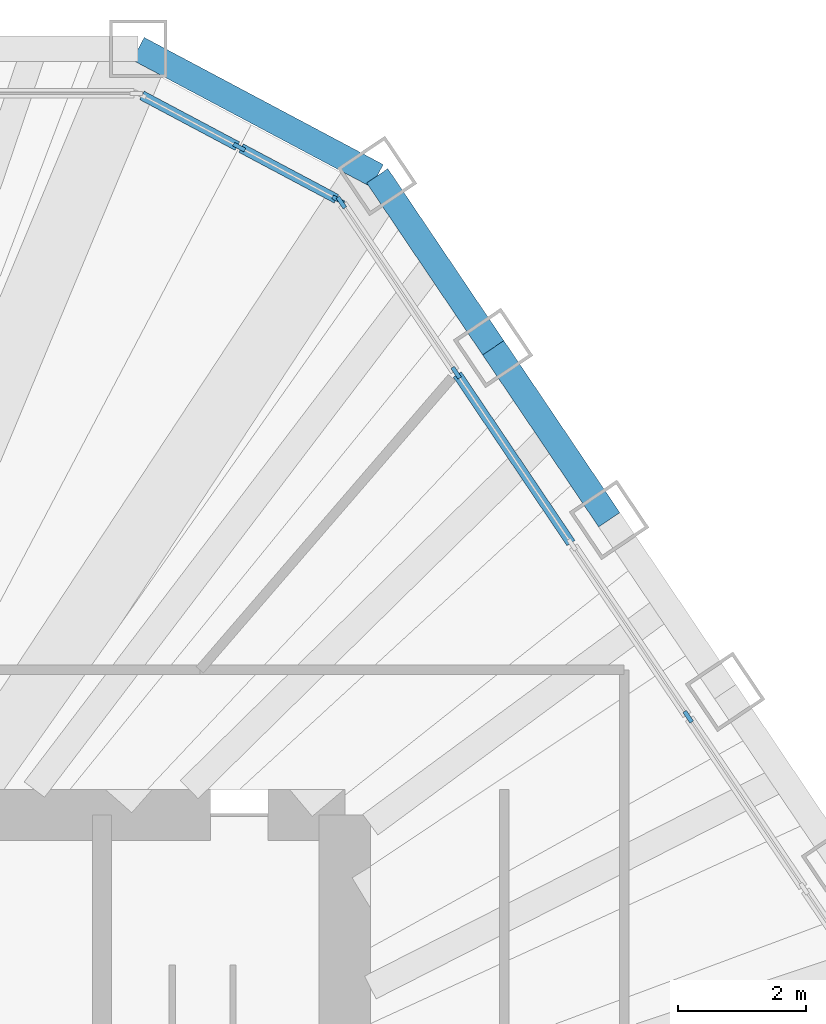
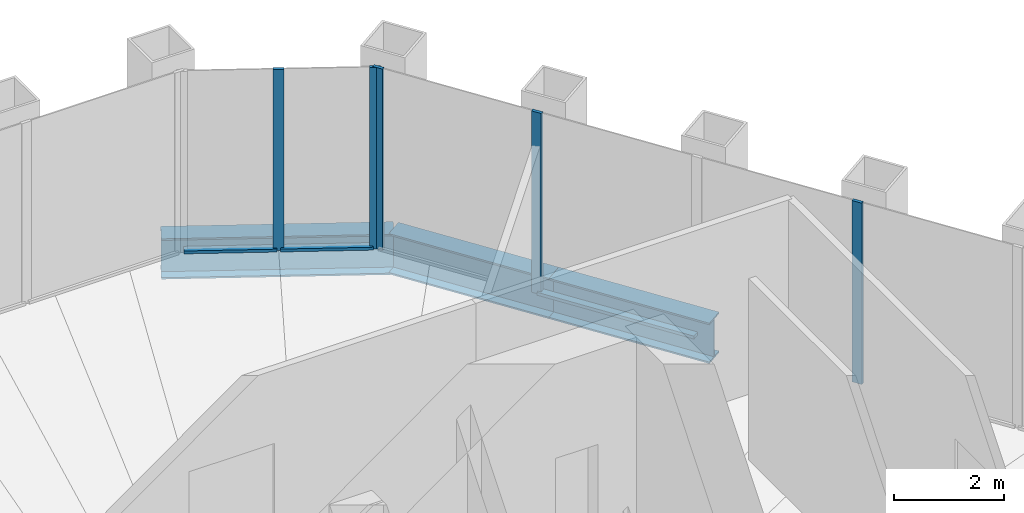
# One storey, part 8 of 14: 8 members, 3 beams, 2 elements without a shape of their own.
"""IFC4 building model written with IfcOpenShell, lengths in metres."""

from ifc_helpers import new_model, si_unit, direction, frame, origin, origin_2d, place, context, subcontext, project, spatial, rectangle, i_section, extrude, material, material_profile, profile_set, type_object, element, aggregate, save


model = new_model("IFC4")

# Units and contexts
model_context = context("Model", 3, precision=1e-05, world=origin(), true_north=direction((0.0, 1.0)))
body_context = subcontext(model_context, "Body", "Model", "MODEL_VIEW")
ifc_project = project(units=[si_unit("LENGTHUNIT", "METRE"), si_unit("AREAUNIT", "SQUARE_METRE"), si_unit("VOLUMEUNIT", "CUBIC_METRE"), si_unit("PLANEANGLEUNIT", "RADIAN"), si_unit("MASSUNIT", "GRAM", prefix="KILO")], contexts=[model_context])

# Site, building, storey
site_placement = place(None, origin())
site = spatial("IfcSite", under=ifc_project, at=site_placement, CompositionType="ELEMENT")
building_placement = place(site_placement, origin())
building = spatial("IfcBuilding", under=site, at=building_placement, Name="Qingtian Harvest Tower", CompositionType="ELEMENT")
storey_placement = place(building_placement, frame((0.0, 0.0, 304.0)))
storey = spatial("IfcBuildingStorey", under=building, at=storey_placement, Name="L67", CompositionType="ELEMENT", Elevation=304.0)

# Curtain wall, members
ifc_material_1 = material(Name="Bronze-anodised aluminium curtain wall", Category="aluminium")
curtain_wall_type = type_object("IfcCurtainWallType", Name="Curtain wall CW5 upper office", PredefinedType="USERDEFINED", material=ifc_material_1)
curtain_wall_1_placement = place(storey_placement, origin())
curtain_wall_1 = element("IfcCurtainWall", 1, at=curtain_wall_1_placement, inside=storey, type_object=curtain_wall_type, Name="Curtain wall CW5 L67 NC", ObjectType="RECESSED CURTAIN WALL", PredefinedType="USERDEFINED")
ifc_material_2 = material(Name="Bronze-anodised aluminium mullion", Category="aluminium")
ifc_material_profile_1 = material_profile(ifc_material_2, rectangle(XDim=0.06494140625, YDim=0.199951171875, at=origin_2d()), Name="AL 65x200")
ifc_profile_set_1 = profile_set([ifc_material_profile_1], Name="Bronze-anodised aluminium mullion")
member_type_1 = type_object("IfcMemberType", Name="Mullion CWM 65x200", PredefinedType="MULLION", material=ifc_profile_set_1)
member_1_placement = place(storey_placement, frame((10.3466796875, 19.45947265625, 0.0), z_axis=(0.0, 0.0, 1.0), x_axis=(0.469471562786, 0.882947592859, 0.0)))
member_1 = element("IfcMember", 2, at=member_1_placement, type_object=member_type_1, Name="CW5 mullion 2", PredefinedType="MULLION", context=body_context, shape_type="SweptSolid", body=[
    extrude(rectangle(XDim=0.06494140625, YDim=0.199951171875, at=origin_2d()), origin(), (0.0, 0.0, 1.0), 4.030029296875),
])
member_2_placement = place(storey_placement, frame((11.89892578125, 18.634033203125, 0.0), z_axis=(0.0, 0.0, 1.0), x_axis=(0.469471562786, 0.882947592859, 0.0)))
member_2 = element("IfcMember", 3, at=member_2_placement, type_object=member_type_1, Name="CW5 mullion 3", PredefinedType="MULLION", context=body_context, shape_type="SweptSolid", body=[
    extrude(rectangle(XDim=0.06494140625, YDim=0.199951171875, at=origin_2d()), origin(), (0.0, 0.0, 1.0), 4.030029296875),
])

curtain_wall_2_placement = place(storey_placement, origin())
curtain_wall_2 = element("IfcCurtainWall", 4, at=curtain_wall_2_placement, inside=storey, type_object=curtain_wall_type, Name="Curtain wall CW5 L67 NE0-5", ObjectType="RECESSED CURTAIN WALL", PredefinedType="USERDEFINED")
member_3_placement = place(storey_placement, frame((11.94580078125, 18.592041015625, 0.0), z_axis=(0.0, 0.0, 1.0), x_axis=(0.829037572555, 0.559192903471, 0.0)))
member_3 = element("IfcMember", 5, at=member_3_placement, type_object=member_type_1, Name="CW5 mullion 1", PredefinedType="MULLION", context=body_context, shape_type="SweptSolid", body=[
    extrude(rectangle(XDim=0.06494140625, YDim=0.199951171875, at=origin_2d()), origin(), (0.0, 0.0, 1.0), 4.030029296875),
])
member_4_placement = place(storey_placement, frame((13.743896484375, 15.926025390625, 0.0), z_axis=(0.0, 0.0, 1.0), x_axis=(0.829037572555, 0.559192903471, 0.0)))
member_4 = element("IfcMember", 6, at=member_4_placement, type_object=member_type_1, Name="CW5 mullion 2", PredefinedType="MULLION", context=body_context, shape_type="SweptSolid", body=[
    extrude(rectangle(XDim=0.06494140625, YDim=0.199951171875, at=origin_2d()), origin(), (0.0, 0.0, 1.0), 4.030029296875),
])
member_5_placement = place(storey_placement, frame((17.37646484375, 10.540771484375, 0.0), z_axis=(0.0, 0.0, 1.0), x_axis=(0.829037572555, 0.559192903471, 0.0)))
member_5 = element("IfcMember", 7, at=member_5_placement, type_object=member_type_1, Name="CW5 mullion 4", PredefinedType="MULLION", context=body_context, shape_type="SweptSolid", body=[
    extrude(rectangle(XDim=0.06494140625, YDim=0.199951171875, at=origin_2d()), origin(), (0.0, 0.0, 1.0), 4.030029296875),
])

# Beams
ifc_material_3 = material(Name="Steel SN490B", Category="steel")
ifc_material_profile_2 = material_profile(ifc_material_3, i_section(OverallWidth=0.39990234375, OverallDepth=0.89990234375, WebThickness=0.01904296875, FlangeThickness=0.035888671875, at=origin_2d()), Name="H900x400x19x36")
ifc_profile_set_2 = profile_set([ifc_material_profile_2], Name="Steel SN490B")
beam_type = type_object("IfcBeamType", Name="Spandrel beam SB4 H900x400x19x36", PredefinedType="SPANDREL", material=ifc_profile_set_2)
beam_1_placement = place(storey_placement, frame((8.765869140625, 21.0, -0.449951171875), z_axis=(0.882948599748, -0.469469669099, 0.0), x_axis=(0.469469669099, 0.882948599748, 0.0)))
element("IfcBeam", 8, at=beam_1_placement, inside=storey, type_object=beam_type, Name="Spandrel SB4 NC", PredefinedType="SPANDREL", context=body_context, shape_type="SweptSolid", body=[
    extrude(i_section(OverallWidth=0.39990234375, OverallDepth=0.89990234375, WebThickness=0.01904296875, FlangeThickness=0.035888671875, at=origin_2d()), origin(), (0.0, 0.0, 1.0), 4.23828125),
])
beam_2_placement = place(storey_placement, frame((12.508056640625, 19.01025390625, -0.449951171875), z_axis=(0.559184924833, -0.829042954158, 0.0), x_axis=(0.829042954158, 0.559184924833, 0.0)))
element("IfcBeam", 9, at=beam_2_placement, inside=storey, type_object=beam_type, Name="Spandrel SB4 NE0", PredefinedType="SPANDREL", context=body_context, shape_type="SweptSolid", body=[
    extrude(i_section(OverallWidth=0.39990234375, OverallDepth=0.89990234375, WebThickness=0.01904296875, FlangeThickness=0.035888671875, at=origin_2d()), origin(), (0.0, 0.0, 1.0), 3.247802734375),
])
beam_3_placement = place(storey_placement, frame((14.32421875, 16.317626953125, -0.449951171875), z_axis=(0.559201740147, -0.829031612073, 0.0), x_axis=(0.829031612073, 0.559201740147, 0.0)))
element("IfcBeam", 10, at=beam_3_placement, inside=storey, type_object=beam_type, Name="Spandrel SB4 NE1", PredefinedType="SPANDREL", context=body_context, shape_type="SweptSolid", body=[
    extrude(i_section(OverallWidth=0.39990234375, OverallDepth=0.89990234375, WebThickness=0.01904296875, FlangeThickness=0.035888671875, at=origin_2d()), origin(), (0.0, 0.0, 1.0), 3.248291015625),
])

# Member
ifc_material_4 = material(Name="Bronze-anodised aluminium transom", Category="aluminium")
ifc_material_profile_3 = material_profile(ifc_material_4, rectangle(XDim=0.14990234375, YDim=0.06494140625, at=origin_2d()), Name="AL 65x150")
ifc_profile_set_3 = profile_set([ifc_material_profile_3], Name="Bronze-anodised aluminium transom")
member_type_2 = type_object("IfcMemberType", Name="Transom CWT 65x150", PredefinedType="USERDEFINED", material=ifc_profile_set_3)
member_6_placement = place(storey_placement, frame((8.8232421875, 20.26953125, 0.032470703125), z_axis=(0.882927080927, -0.469510138086, 0.0), x_axis=(0.469510138086, 0.882927080927, 0.0)))
member_6 = element("IfcMember", 11, at=member_6_placement, type_object=member_type_2, Name="CW5 transom 1.1", ObjectType="TRANSOM", PredefinedType="USERDEFINED", context=body_context, shape_type="SweptSolid", body=[
    extrude(rectangle(XDim=0.14990234375, YDim=0.06494140625, at=origin_2d()), origin(), (0.0, 0.0, 1.0), 1.693115234375),
])

member_7_placement = place(storey_placement, frame((10.37548828125, 19.444091796875, 0.032470703125), z_axis=(0.882986854304, -0.469397715297, 0.0), x_axis=(0.469397715297, 0.882986854304, 0.0)))
member_7 = element("IfcMember", 12, at=member_7_placement, type_object=member_type_2, Name="CW5 transom 2.1", ObjectType="TRANSOM", PredefinedType="USERDEFINED", context=body_context, shape_type="SweptSolid", body=[
    extrude(rectangle(XDim=0.14990234375, YDim=0.06494140625, at=origin_2d()), origin(), (0.0, 0.0, 1.0), 1.69287109375),
])

aggregate(curtain_wall_1, [member_1, member_2, member_6, member_7])

member_8_placement = place(storey_placement, frame((13.761962890625, 15.899169921875, 0.032470703125), z_axis=(0.55920542009, -0.829029129852, 0.0), x_axis=(0.829029129852, 0.55920542009, 0.0)))
member_8 = element("IfcMember", 13, at=member_8_placement, type_object=member_type_2, Name="CW5 transom 2.1", ObjectType="TRANSOM", PredefinedType="USERDEFINED", context=body_context, shape_type="SweptSolid", body=[
    extrude(rectangle(XDim=0.14990234375, YDim=0.06494140625, at=origin_2d()), origin(), (0.0, 0.0, 1.0), 3.18310546875),
])

aggregate(curtain_wall_2, [member_3, member_4, member_5, member_8])

save(model, "model.ifc")
